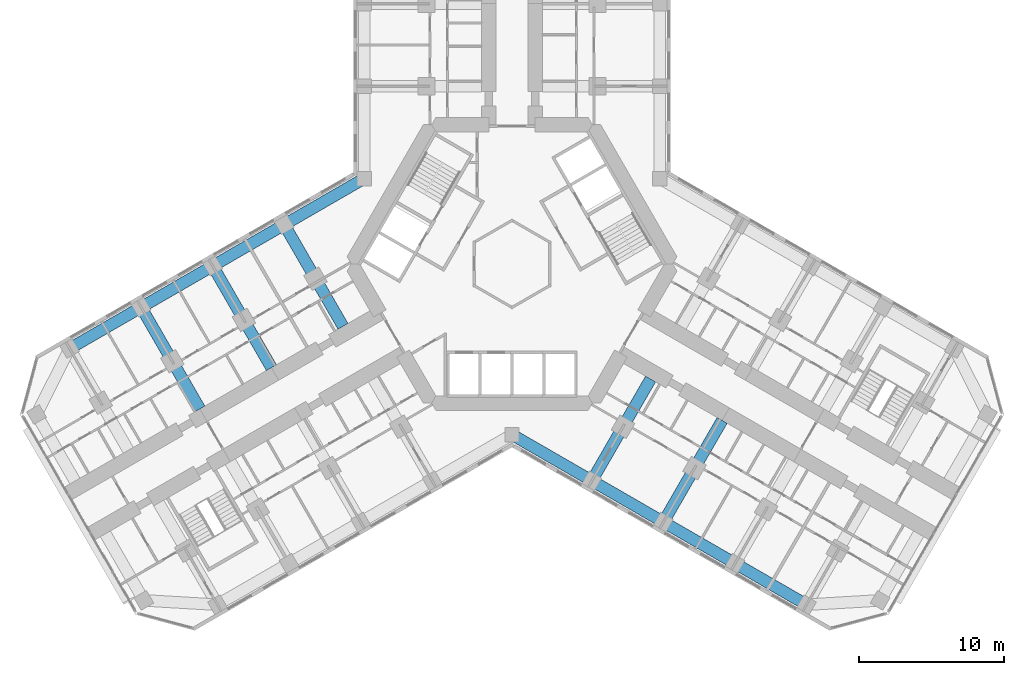
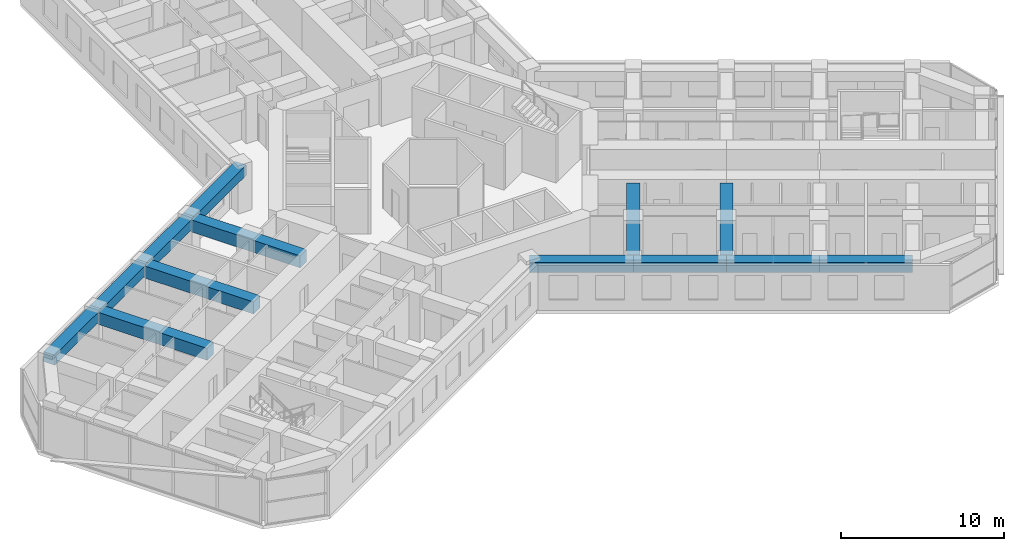
# One storey, part 4 of 21: 13 beams.
"""IFC4 building model written with IfcOpenShell, lengths in metres."""

import ifcopenshell
import ifcopenshell.guid

model = None  # the IFC model being written
_history = None  # IfcOwnerHistory: only IFC2X3 demands one
_inside = {}  # id of a spatial element -> (the spatial element, [elements in it])
_under = {}  # id of a project, library or spatial element -> (it, [spatial elements below it])
_declared = {}  # id of a project -> (the project, [libraries it declares])
_typed = {}  # id of a type object -> (the type object, [elements of that type])
_made_of = {}  # id of a material, layer set ... -> (it, [elements and type objects made of it])


def new_model(schema):
    """Start an empty IFC model of exactly this schema.

    Asked for "IFC4X3", IfcOpenShell would pick the latest addendum, in which some entities
    have other attributes; the version numbers below select the first issue.
    IFC2X3 requires an IfcOwnerHistory on every rooted entity: one is made here for all.
    """
    global model, _history
    if schema == "IFC4X3":
        model = ifcopenshell.file(schema_version=(4, 3, 0, 0))
    else:
        model = ifcopenshell.file(schema=schema)
    _inside.clear()
    _under.clear()
    _declared.clear()
    _typed.clear()
    _made_of.clear()
    _history = None
    if model.schema == "IFC2X3":
        org = make("IfcOrganization", Name="unknown")
        user = make(
            "IfcPersonAndOrganization",
            ThePerson=make("IfcPerson", FamilyName="unknown"),
            TheOrganization=org,
        )
        app = make(
            "IfcApplication",
            ApplicationDeveloper=org,
            Version="unknown",
            ApplicationFullName="unknown",
            ApplicationIdentifier="unknown",
        )
        _history = make(
            "IfcOwnerHistory",
            OwningUser=user,
            OwningApplication=app,
            ChangeAction="ADDED",
            CreationDate=0,
        )
    return model


def make(cls, **values):
    """One entity of the class cls with the attributes given. An attribute that is None is left unset."""
    return model.create_entity(
        cls, **{name: value for name, value in values.items() if value is not None}
    )


def rooted(cls, **values):
    """An entity with a GlobalId (a new one), such as an element, a storey or a relation."""
    return make(cls, GlobalId=ifcopenshell.guid.new(), OwnerHistory=_history, **values)


def si_unit(unit_type, name, prefix=None):
    """IfcSIUnit, for example si_unit("LENGTHUNIT", "METRE", prefix="MILLI")."""
    return make("IfcSIUnit", UnitType=unit_type, Prefix=prefix, Name=name)


def assignment(units):
    """IfcUnitAssignment: the units of a project."""
    return None if units is None else make("IfcUnitAssignment", Units=units)


def point(xyz):
    """IfcCartesianPoint."""
    return None if xyz is None else make("IfcCartesianPoint", Coordinates=xyz)


def direction(xyz):
    """IfcDirection."""
    return None if xyz is None else make("IfcDirection", DirectionRatios=xyz)


def frame(location, z_axis=None, x_axis=None):
    """IfcAxis2Placement3D, a coordinate frame: its origin and axes. An axis left out is left unset."""
    return make(
        "IfcAxis2Placement3D",
        Location=point(location),
        Axis=direction(z_axis),
        RefDirection=direction(x_axis),
    )


def frame_2d(location, x_axis=None):
    """IfcAxis2Placement2D, a coordinate frame in the plane: its origin and x axis."""
    return make(
        "IfcAxis2Placement2D", Location=point(location), RefDirection=direction(x_axis)
    )


def origin():
    """The frame at (0, 0, 0) with its axes left unset."""
    return frame((0.0, 0.0, 0.0))


def origin_2d():
    """The frame at (0, 0) in the plane with its x axis left unset."""
    return frame_2d((0.0, 0.0))


def place(relative_to, where):
    """IfcLocalPlacement: puts the frame where relative to a parent placement (None: the world)."""
    return make(
        "IfcLocalPlacement", PlacementRelTo=relative_to, RelativePlacement=where
    )


def context(
    kind, dimensions, precision=None, world=None, true_north=None, identifier=None
):
    """IfcGeometricRepresentationContext, for example the 3D "Model" context."""
    return make(
        "IfcGeometricRepresentationContext",
        ContextIdentifier=identifier,
        ContextType=kind,
        CoordinateSpaceDimension=dimensions,
        Precision=precision,
        WorldCoordinateSystem=world,
        TrueNorth=true_north,
    )


def subcontext(parent, identifier, kind, view, scale=None):
    """IfcGeometricRepresentationSubContext, for example "Body" below "Model"."""
    return make(
        "IfcGeometricRepresentationSubContext",
        ContextIdentifier=identifier,
        ContextType=kind,
        ParentContext=parent,
        TargetScale=scale,
        TargetView=view,
    )


def project(units=None, contexts=None):
    """IfcProject with its units and contexts."""
    return rooted(
        "IfcProject",
        Name="project",
        RepresentationContexts=contexts,
        UnitsInContext=assignment(units),
    )


def spatial(cls, under=None, at=None, **own):
    """A site, building, storey or space (cls), placed at a placement, below another one or the project."""
    s = rooted(cls, ObjectPlacement=at, **own)
    if under is not None:
        _under.setdefault(under.id(), (under, []))[1].append(s)
    return s


def profile(cls, at=None, kind="AREA", **sizes):
    """A parametric profile (cls). Its sizes go by their IFC names, for example OverallWidth=200.0."""
    return make(cls, ProfileType=kind, Position=at, **sizes)


def rectangle(**sizes):
    """IfcRectangleProfileDef."""
    return profile("IfcRectangleProfileDef", **sizes)


def extrude(swept, where, along, depth):
    """IfcExtrudedAreaSolid: the profile swept, set in the frame where, extruded along a direction by depth."""
    return make(
        "IfcExtrudedAreaSolid",
        SweptArea=swept,
        Position=where,
        ExtrudedDirection=direction(along),
        Depth=depth,
    )


def shape(context_of_items, identifier, shape_type, items):
    """IfcShapeRepresentation: the items that make up one representation, for example the "Body"."""
    return make(
        "IfcShapeRepresentation",
        ContextOfItems=context_of_items,
        RepresentationIdentifier=identifier,
        RepresentationType=shape_type,
        Items=items,
    )


def material(Name=None, Category=None):
    """IfcMaterial."""
    return make("IfcMaterial", Name=Name, Category=Category)


def material_profile(
    of_material, cross_section, Name=None, Category=None, Priority=None
):
    """IfcMaterialProfile: a cross section and its material."""
    return make(
        "IfcMaterialProfile",
        Name=Name,
        Material=of_material,
        Profile=cross_section,
        Priority=Priority,
        Category=Category,
    )


def profile_set(profiles, Name=None, composite=None):
    """IfcMaterialProfileSet."""
    return make(
        "IfcMaterialProfileSet",
        Name=Name,
        MaterialProfiles=profiles,
        CompositeProfile=composite,
    )


def made_of(thing, what):
    """Note that an element or type object is made of a material, layer set ...; save() writes the relation."""
    if what is not None:
        _made_of.setdefault(what.id(), (what, []))[1].append(thing)
    return thing


def type_object(cls, material=None, **own):
    """A type object (cls), such as IfcWallType, which elements share."""
    return made_of(rooted(cls, **own), material)


def element(
    cls,
    number,
    at=None,
    inside=None,
    cuts=None,
    type_object=None,
    material=None,
    context=None,
    identifier="Body",
    shape_type=None,
    held_by="IfcProductDefinitionShape",
    body=None,
    shapes=None,
    **own,
):
    """One element of the class cls, such as IfcWall. Its Tag is "e" and its number.

    at: its placement. inside: the storey or other place that contains it. cuts: it is an
    opening in that element (IfcRelVoidsElement). A single representation is given by context,
    identifier, shape_type and body (its items); several are given by shapes. held_by: the class
    of the entity that holds the representations. save() writes the other relations.
    """
    e = rooted(cls, Tag="e%d" % number, ObjectPlacement=at, **own)
    if body is not None:
        shapes = [shape(context, identifier, shape_type, body)]
    if shapes is not None:
        e.Representation = make(held_by, Representations=shapes)
    if inside is not None:
        _inside.setdefault(inside.id(), (inside, []))[1].append(e)
    if cuts is not None:
        rooted(
            "IfcRelVoidsElement", RelatingBuildingElement=cuts, RelatedOpeningElement=e
        )
    if type_object is not None:
        _typed.setdefault(type_object.id(), (type_object, []))[1].append(e)
    return made_of(e, material)


def aggregate(whole, parts):
    """IfcRelAggregates: a whole, such as a stair, and the parts it consists of."""
    return rooted("IfcRelAggregates", RelatingObject=whole, RelatedObjects=parts)


def save(model, path):
    """Write the relations noted so far, then the file.

    IfcRelAggregates (storeys below a building ...), IfcRelContainedInSpatialStructure (elements
    in a storey), IfcRelDefinesByType, IfcRelAssociatesMaterial and IfcRelDeclares: one each for
    every whole, place, type object, material and project.
    """
    for whole, parts in _under.values():
        aggregate(whole, parts)
    for where, things in _inside.values():
        rooted(
            "IfcRelContainedInSpatialStructure",
            RelatedElements=things,
            RelatingStructure=where,
        )
    for kind, things in _typed.values():
        rooted("IfcRelDefinesByType", RelatedObjects=things, RelatingType=kind)
    for what, things in _made_of.values():
        rooted("IfcRelAssociatesMaterial", RelatedObjects=things, RelatingMaterial=what)
    for by, libraries in _declared.values():
        rooted("IfcRelDeclares", RelatingContext=by, RelatedDefinitions=libraries)
    model.write(path)


model = new_model("IFC4")

# Units and contexts
model_context = context("Model", 3, precision=1e-05, world=origin(), true_north=direction((0.0, 1.0)))
body_context = subcontext(model_context, "Body", "Model", "MODEL_VIEW")
ifc_project = project(units=[si_unit("LENGTHUNIT", "METRE"), si_unit("AREAUNIT", "SQUARE_METRE"), si_unit("VOLUMEUNIT", "CUBIC_METRE"), si_unit("PLANEANGLEUNIT", "RADIAN"), si_unit("MASSUNIT", "GRAM", prefix="KILO")], contexts=[model_context])

# Site, building, storey
site_placement = place(None, origin())
site = spatial("IfcSite", under=ifc_project, at=site_placement, CompositionType="ELEMENT")
building_placement = place(site_placement, origin())
building = spatial("IfcBuilding", under=site, at=building_placement, Name="Kosmar Iwan School Tower", CompositionType="ELEMENT")
storey_placement = place(building_placement, frame((0.0, 0.0, 46.60009765625)))
storey = spatial("IfcBuildingStorey", under=building, at=storey_placement, Name="L10", CompositionType="ELEMENT", Elevation=46.60009765625)

# Beams
ifc_material_1 = material(Name="Concrete C50/60", Category="concrete")
ifc_material_profile_1 = material_profile(ifc_material_1, rectangle(XDim=0.800048828125, YDim=0.75, at=origin_2d()), Name="RC 800x750")
ifc_profile_set_1 = profile_set([ifc_material_profile_1], Name="Concrete C50/60")
beam_type_1 = type_object("IfcBeamType", Name="RC edge beam 800x750", PredefinedType="BEAM", material=ifc_profile_set_1)
beam_1_placement = place(storey_placement, frame((-10.199951171875, 5.888916015625, 2.974853515625), z_axis=(-0.866030912664, -0.49999045822, 0.0), x_axis=(0.49999045822, -0.866030912664, 0.0)))
element("IfcBeam", 1, at=beam_1_placement, inside=storey, type_object=beam_type_1, Name="Edge beam BR1", PredefinedType="BEAM", context=body_context, shape_type="SweptSolid", body=[
    extrude(rectangle(XDim=0.800048828125, YDim=0.75, at=origin_2d()), origin(), (0.0, 0.0, 1.0), 6.36083984375),
])
beam_2_placement = place(storey_placement, frame((-15.708740234375, 2.70849609375, 2.974853515625), z_axis=(-0.866025820012, -0.499999279071, 0.0), x_axis=(0.499999279071, -0.866025820012, 0.0)))
element("IfcBeam", 2, at=beam_2_placement, inside=storey, type_object=beam_type_1, Name="Edge beam BR2", PredefinedType="BEAM", context=body_context, shape_type="SweptSolid", body=[
    extrude(rectangle(XDim=0.800048828125, YDim=0.75, at=origin_2d()), origin(), (0.0, 0.0, 1.0), 5.7001953125),
])
for number, where, z_axis, x_axis, name in (
    (3, (-20.645263671875, -0.1416015625, 2.974853515625), (-0.866033658841, -0.49998570155, 0.0), (0.49998570155, -0.866033658841, 0.0), "Edge beam BR3"),
    (4, (-25.58154296875, -2.991455078125, 2.974853515625), (-0.866015111908, -0.50001782563, 0.0), (0.50001782563, -0.866015111908, 0.0), "Edge beam BR4"),
):
    element("IfcBeam", number, at=place(storey_placement, frame(where, z_axis=z_axis, x_axis=x_axis)), inside=storey, type_object=beam_type_1, Name=name, PredefinedType="BEAM", context=body_context, shape_type="SweptSolid", body=[
        extrude(rectangle(XDim=0.800048828125, YDim=0.75, at=origin_2d()), origin(), (0.0, 0.0, 1.0), 5.699951171875),
    ])
beam_3_placement = place(storey_placement, frame((0.0, -11.77783203125, 2.974853515625), z_axis=(0.866014293216, -0.500019243575, 0.0), x_axis=(0.500019243575, 0.866014293216, 0.0)))
element("IfcBeam", 5, at=beam_3_placement, inside=storey, type_object=beam_type_1, Name="Edge beam CR1", PredefinedType="BEAM", context=body_context, shape_type="SweptSolid", body=[
    extrude(rectangle(XDim=0.800048828125, YDim=0.75, at=origin_2d()), origin(), (0.0, 0.0, 1.0), 6.361083984375),
])
beam_4_placement = place(storey_placement, frame((5.5087890625, -14.95849609375, 2.974853515625), z_axis=(0.866033658841, -0.49998570155, 0.0), x_axis=(0.49998570155, 0.866033658841, 0.0)))
element("IfcBeam", 6, at=beam_4_placement, inside=storey, type_object=beam_type_1, Name="Edge beam CR2", PredefinedType="BEAM", context=body_context, shape_type="SweptSolid", body=[
    extrude(rectangle(XDim=0.800048828125, YDim=0.75, at=origin_2d()), origin(), (0.0, 0.0, 1.0), 5.699951171875),
])
beam_5_placement = place(storey_placement, frame((10.445068359375, -17.808349609375, 2.974853515625), z_axis=(0.866025820012, -0.499999279071, 0.0), x_axis=(0.499999279071, 0.866025820012, 0.0)))
element("IfcBeam", 7, at=beam_5_placement, inside=storey, type_object=beam_type_1, Name="Edge beam CR3", PredefinedType="BEAM", context=body_context, shape_type="SweptSolid", body=[
    extrude(rectangle(XDim=0.800048828125, YDim=0.75, at=origin_2d()), origin(), (0.0, 0.0, 1.0), 5.7001953125),
])
beam_6_placement = place(storey_placement, frame((15.381591796875, -20.658447265625, 2.974853515625), z_axis=(0.866015111908, -0.50001782563, 0.0), x_axis=(0.50001782563, 0.866015111908, 0.0)))
element("IfcBeam", 8, at=beam_6_placement, inside=storey, type_object=beam_type_1, Name="Edge beam CR4", PredefinedType="BEAM", context=body_context, shape_type="SweptSolid", body=[
    extrude(rectangle(XDim=0.800048828125, YDim=0.75, at=origin_2d()), origin(), (0.0, 0.0, 1.0), 5.699951171875),
])
ifc_material_2 = material(Name="Concrete C50/60", Category="concrete")
ifc_material_profile_2 = material_profile(ifc_material_2, rectangle(XDim=0.800048828125, YDim=0.89990234375, at=origin_2d()), Name="RC 800x900")
ifc_profile_set_2 = profile_set([ifc_material_profile_2], Name="Concrete C50/60")
beam_type_2 = type_object("IfcBeamType", Name="RC transverse beam 800x900", PredefinedType="BEAM", material=ifc_profile_set_2)
beam_7_placement = place(storey_placement, frame((-15.708740234375, 2.70849609375, 2.89990234375), z_axis=(0.499999880539, -0.866025472755, 0.0), x_axis=(0.866025472755, 0.499999880539, 0.0)))
element("IfcBeam", 9, at=beam_7_placement, inside=storey, type_object=beam_type_2, Name="Transverse beam BR1", PredefinedType="BEAM", context=body_context, shape_type="SweptSolid", body=[
    extrude(rectangle(XDim=0.800048828125, YDim=0.89990234375, at=origin_2d()), origin(), (0.0, 0.0, 1.0), 8.10009765625),
])
beam_8_placement = place(storey_placement, frame((-20.645263671875, -0.1416015625, 2.89990234375), z_axis=(0.500012932018, -0.866017937352, 0.0), x_axis=(0.866017937352, 0.500012932018, 0.0)))
element("IfcBeam", 10, at=beam_8_placement, inside=storey, type_object=beam_type_2, Name="Transverse beam BR2", PredefinedType="BEAM", context=body_context, shape_type="SweptSolid", body=[
    extrude(rectangle(XDim=0.800048828125, YDim=0.89990234375, at=origin_2d()), origin(), (0.0, 0.0, 1.0), 8.099853515625),
])
for number, where, z_axis, x_axis, name in (
    (11, (-25.58154296875, -2.991455078125, 2.89990234375), (0.499999880539, -0.866025472755, 0.0), (0.866025472755, 0.499999880539, 0.0), "Transverse beam BR3"),
    (12, (5.5087890625, -14.95849609375, 2.89990234375), (0.499999880539, 0.866025472755, 0.0), (-0.866025472755, 0.499999880539, 0.0), "Transverse beam CR1"),
):
    element("IfcBeam", number, at=place(storey_placement, frame(where, z_axis=z_axis, x_axis=x_axis)), inside=storey, type_object=beam_type_2, Name=name, PredefinedType="BEAM", context=body_context, shape_type="SweptSolid", body=[
        extrude(rectangle(XDim=0.800048828125, YDim=0.89990234375, at=origin_2d()), origin(), (0.0, 0.0, 1.0), 8.10009765625),
    ])
beam_9_placement = place(storey_placement, frame((10.445068359375, -17.808349609375, 2.89990234375), z_axis=(0.500012932018, 0.866017937352, 0.0), x_axis=(-0.866017937352, 0.500012932018, 0.0)))
element("IfcBeam", 13, at=beam_9_placement, inside=storey, type_object=beam_type_2, Name="Transverse beam CR2", PredefinedType="BEAM", context=body_context, shape_type="SweptSolid", body=[
    extrude(rectangle(XDim=0.800048828125, YDim=0.89990234375, at=origin_2d()), origin(), (0.0, 0.0, 1.0), 8.099853515625),
])

save(model, "model.ifc")
